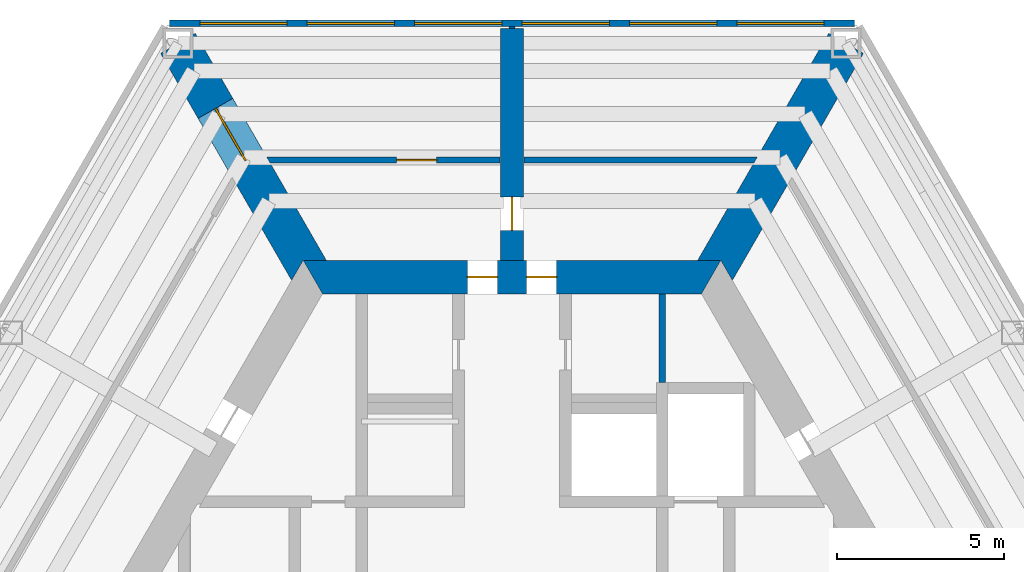
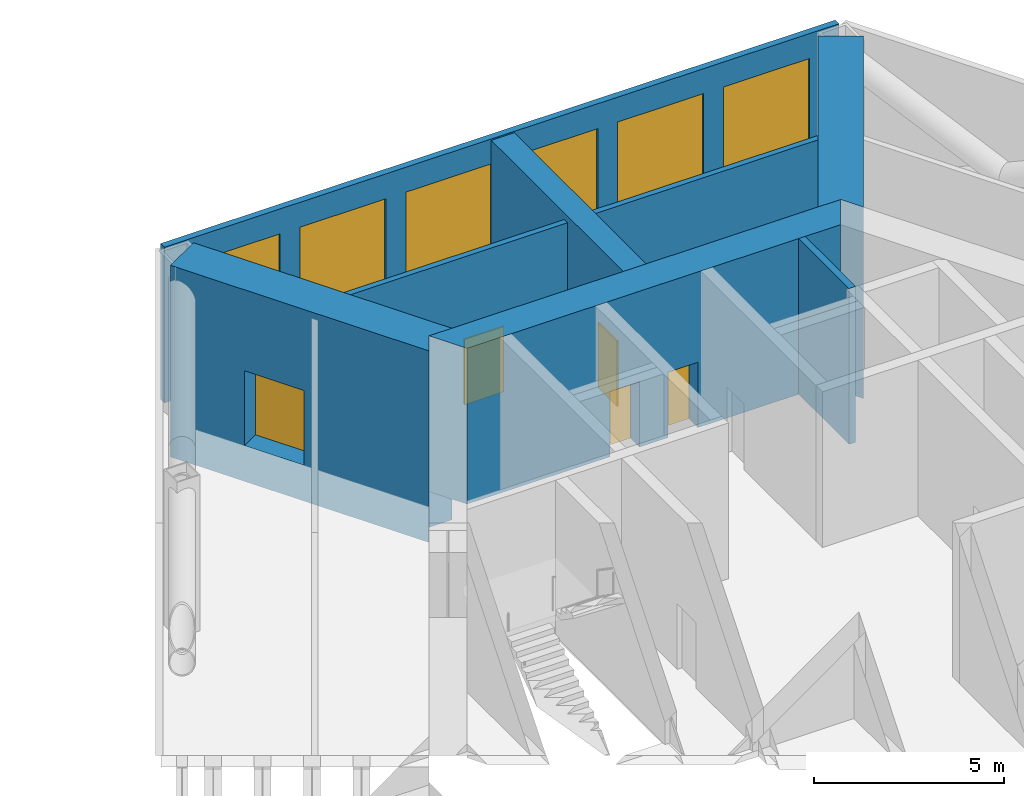
# One storey, part 6 of 8: 9 walls, 6 windows, 5 doors, 11 openings.
"""IFC4 building model written with IfcOpenShell, lengths in metres."""

from ifc_helpers import new_model, si_unit, direction, frame, frame_2d, origin, place, context, subcontext, project, spatial, polyline, rectangle, outline, extrude, material, layer, layer_set, type_object, element, fill, save


model = new_model("IFC4")

# Units and contexts
model_context = context("Model", 3, precision=1e-05, world=origin(), true_north=direction((0.0, 1.0)))
body_context = subcontext(model_context, "Body", "Model", "MODEL_VIEW")
ifc_project = project(units=[si_unit("LENGTHUNIT", "METRE"), si_unit("AREAUNIT", "SQUARE_METRE"), si_unit("VOLUMEUNIT", "CUBIC_METRE"), si_unit("PLANEANGLEUNIT", "RADIAN"), si_unit("MASSUNIT", "GRAM", prefix="KILO")], contexts=[model_context])

# Site, building, storey
site_placement = place(None, origin())
site = spatial("IfcSite", under=ifc_project, at=site_placement, CompositionType="ELEMENT")
building_placement = place(site_placement, origin())
building = spatial("IfcBuilding", under=site, at=building_placement, Name="Kasaneha Research Tower", CompositionType="ELEMENT")
storey_placement = place(building_placement, frame((0.0, 0.0, 203.300048828125)))
storey = spatial("IfcBuildingStorey", under=building, at=storey_placement, Name="L51", CompositionType="ELEMENT", Elevation=203.300048828125)

# Wall, openings, doors
ifc_material_1 = material(Name="Concrete Fc70", Category="concrete")
ifc_layer_1 = layer(ifc_material_1, 1.0)
ifc_layer_set_1 = layer_set([ifc_layer_1], Name="Core wall 1000 Fc70")
wall_type_1 = type_object("IfcWallType", Name="Core wall 1000 Fc70", PredefinedType="SHEAR", material=ifc_layer_set_1)
wall_1_placement = place(storey_placement, frame((5.961181640625, 10.324951171875, 0.0), z_axis=(0.0, 0.0, 1.0), x_axis=(-1.0, 0.0, 0.0)))
wall_1 = element("IfcWall", 1, at=wall_1_placement, inside=storey, type_object=wall_type_1, Name="Core wall 090 L51", PredefinedType="SHEAR", context=body_context, shape_type="SweptSolid", body=[
    extrude(outline(polyline([(-0.28857421875, -0.5), (4.62353515625, -0.5), (5.5234375, -0.5), (6.398681640625, -0.5), (7.298583984375, -0.5), (12.2109375, -0.5), (11.6337890625, 0.5), (7.298583984375, 0.5), (6.398681640625, 0.5), (5.5234375, 0.5), (4.62353515625, 0.5), (0.28857421875, 0.5), (-0.28857421875, -0.5)])), origin(), (0.0, 0.0, 1.0), 5.0),
])
opening_1_placement = place(wall_1_placement, frame((6.398681640625, 0.0, 0.0)))
opening_1 = element("IfcOpeningElement", 2, at=opening_1_placement, cuts=wall_1, Name="Opening L51-D01", PredefinedType="OPENING", context=body_context, shape_type="SweptSolid", body=[
    extrude(rectangle(XDim=0.89990234375, YDim=2.10009765625, at=frame_2d((0.449951171875, 1.050048828125))), frame((0.0, 0.510009765625, 0.0), z_axis=(0.0, -1.0, 0.0), x_axis=(1.0, 0.0, 0.0)), (0.0, 0.0, 1.0), 1.02001953125),
])
opening_2_placement = place(wall_1_placement, frame((4.62353515625, 0.0, 0.0)))
opening_2 = element("IfcOpeningElement", 3, at=opening_2_placement, cuts=wall_1, Name="Opening L51-D02", PredefinedType="OPENING", context=body_context, shape_type="SweptSolid", body=[
    extrude(rectangle(XDim=0.89990234375, YDim=2.10009765625, at=frame_2d((0.449951171875, 1.050048828125))), frame((0.0, 0.510009765625, 0.0), z_axis=(0.0, -1.0, 0.0), x_axis=(1.0, 0.0, 0.0)), (0.0, 0.0, 1.0), 1.02001953125),
])
ifc_material_2 = material(Name="Steel", Category="steel")
door_type_1 = type_object("IfcDoorType", Name="Toilet door FD20 900x2100", OperationType="NOTDEFINED", PredefinedType="DOOR", material=ifc_material_2)
door_1_placement = place(opening_1_placement, origin())
door_1 = element("IfcDoor", 4, at=door_1_placement, inside=storey, type_object=door_type_1, Name="Core door north 1 L51-D01", OperationType="SINGLE_SWING_RIGHT", OverallHeight=2.10009765625, OverallWidth=0.89990234375, PredefinedType="DOOR", context=body_context, shape_type="SweptSolid", body=[
    extrude(rectangle(XDim=0.89990234375, YDim=2.10009765625, at=frame_2d((0.449951171875, 1.050048828125))), frame((0.0, 0.02490234375, 0.0), z_axis=(0.0, -1.0, 0.0), x_axis=(1.0, 0.0, 0.0)), (0.0, 0.0, 1.0), 0.050048828125),
])
fill(opening_1, door_1)
door_2_placement = place(opening_2_placement, origin())
door_2 = element("IfcDoor", 5, at=door_2_placement, inside=storey, type_object=door_type_1, Name="Core door north 2 L51-D02", OperationType="SINGLE_SWING_LEFT", OverallHeight=2.10009765625, OverallWidth=0.89990234375, PredefinedType="DOOR", context=body_context, shape_type="SweptSolid", body=[
    extrude(rectangle(XDim=0.89990234375, YDim=2.10009765625, at=frame_2d((0.449951171875, 1.050048828125))), frame((0.0, 0.02490234375, 0.0), z_axis=(0.0, -1.0, 0.0), x_axis=(1.0, 0.0, 0.0)), (0.0, 0.0, 1.0), 0.050048828125),
])
fill(opening_2, door_2)

# Wall, openings, windows
ifc_material_3 = material(Name="Terracotta cladding on steel frame", Category="masonry")
ifc_layer_2 = layer(ifc_material_3, 0.199951171875)
ifc_layer_set_2 = layer_set([ifc_layer_2], Name="Louvred plant wall 200")
wall_type_2 = type_object("IfcWallType", Name="Louvred plant wall 200", PredefinedType="ELEMENTEDWALL", material=ifc_layer_set_2)
wall_2_placement = place(storey_placement, frame((10.246337890625, 17.92041015625, 0.0), z_axis=(0.0, 0.0, 1.0), x_axis=(-1.0, 0.0, 0.0)))
wall_2 = element("IfcWall", 6, at=wall_2_placement, inside=storey, type_object=wall_type_2, Name="Louvred plant wall L51", PredefinedType="ELEMENTEDWALL", context=body_context, shape_type="SweptSolid", body=[
    extrude(rectangle(XDim=20.49267578125, YDim=0.199951171875, at=frame_2d((10.246337890625, 0.0))), origin(), (0.0, 0.0, 1.0), 5.0),
])
opening_3_placement = place(wall_2_placement, frame((0.89990234375, 0.0, 0.60009765625)))
opening_3 = element("IfcOpeningElement", 7, at=opening_3_placement, cuts=wall_2, Name="Opening LV5", PredefinedType="OPENING", context=body_context, shape_type="SweptSolid", body=[
    extrude(rectangle(XDim=2.615478515625, YDim=3.60009765625, at=frame_2d((1.3076171875, 1.800048828125))), frame((0.0, 0.10986328125, 0.0), z_axis=(0.0, -1.0, 0.0), x_axis=(1.0, 0.0, 0.0)), (0.0, 0.0, 1.0), 0.219970703125),
])
opening_4_placement = place(wall_2_placement, frame((4.115478515625, 0.0, 0.60009765625)))
opening_4 = element("IfcOpeningElement", 8, at=opening_4_placement, cuts=wall_2, Name="Opening LV5", PredefinedType="OPENING", context=body_context, shape_type="SweptSolid", body=[
    extrude(rectangle(XDim=2.615478515625, YDim=3.60009765625, at=frame_2d((1.3076171875, 1.800048828125))), frame((0.0, 0.10986328125, 0.0), z_axis=(0.0, -1.0, 0.0), x_axis=(1.0, 0.0, 0.0)), (0.0, 0.0, 1.0), 0.219970703125),
])
opening_5_placement = place(wall_2_placement, frame((7.3310546875, 0.0, 0.60009765625)))
opening_5 = element("IfcOpeningElement", 9, at=opening_5_placement, cuts=wall_2, Name="Opening LV5", PredefinedType="OPENING", context=body_context, shape_type="SweptSolid", body=[
    extrude(rectangle(XDim=2.615478515625, YDim=3.60009765625, at=frame_2d((1.3076171875, 1.800048828125))), frame((0.0, 0.10986328125, 0.0), z_axis=(0.0, -1.0, 0.0), x_axis=(1.0, 0.0, 0.0)), (0.0, 0.0, 1.0), 0.219970703125),
])
opening_6_placement = place(wall_2_placement, frame((10.54638671875, 0.0, 0.60009765625)))
opening_6 = element("IfcOpeningElement", 10, at=opening_6_placement, cuts=wall_2, Name="Opening LV5", PredefinedType="OPENING", context=body_context, shape_type="SweptSolid", body=[
    extrude(rectangle(XDim=2.615478515625, YDim=3.60009765625, at=frame_2d((1.3076171875, 1.800048828125))), frame((0.0, 0.10986328125, 0.0), z_axis=(0.0, -1.0, 0.0), x_axis=(1.0, 0.0, 0.0)), (0.0, 0.0, 1.0), 0.219970703125),
])
opening_7_placement = place(wall_2_placement, frame((13.761962890625, 0.0, 0.60009765625)))
opening_7 = element("IfcOpeningElement", 11, at=opening_7_placement, cuts=wall_2, Name="Opening LV5", PredefinedType="OPENING", context=body_context, shape_type="SweptSolid", body=[
    extrude(rectangle(XDim=2.615478515625, YDim=3.60009765625, at=frame_2d((1.3076171875, 1.800048828125))), frame((0.0, 0.10986328125, 0.0), z_axis=(0.0, -1.0, 0.0), x_axis=(1.0, 0.0, 0.0)), (0.0, 0.0, 1.0), 0.219970703125),
])
opening_8_placement = place(wall_2_placement, frame((16.977294921875, 0.0, 0.60009765625)))
opening_8 = element("IfcOpeningElement", 12, at=opening_8_placement, cuts=wall_2, Name="Opening LV5", PredefinedType="OPENING", context=body_context, shape_type="SweptSolid", body=[
    extrude(rectangle(XDim=2.615478515625, YDim=3.60009765625, at=frame_2d((1.3076171875, 1.800048828125))), frame((0.0, 0.10986328125, 0.0), z_axis=(0.0, -1.0, 0.0), x_axis=(1.0, 0.0, 0.0)), (0.0, 0.0, 1.0), 0.219970703125),
])
ifc_material_4 = material(Name="Aluminium 6063-T6", Category="aluminium")
window_type = type_object("IfcWindowType", Name="Louvre 2615x3600", PartitioningType="SINGLE_PANEL", PredefinedType="USERDEFINED", material=ifc_material_4)
window_1_placement = place(opening_3_placement, origin())
window_1 = element("IfcWindow", 13, at=window_1_placement, inside=storey, type_object=window_type, Name="Plant louvre L51 1", ObjectType="LOUVRE", OverallHeight=3.60009765625, OverallWidth=2.615478515625, PartitioningType="SINGLE_PANEL", PredefinedType="USERDEFINED", context=body_context, shape_type="SweptSolid", body=[
    extrude(rectangle(XDim=2.615478515625, YDim=3.60009765625, at=frame_2d((1.3076171875, 1.800048828125))), frame((0.0, 0.030029296875, 0.0), z_axis=(0.0, -1.0, 0.0), x_axis=(1.0, 0.0, 0.0)), (0.0, 0.0, 1.0), 0.06005859375),
])
fill(opening_3, window_1)
window_2_placement = place(opening_4_placement, origin())
window_2 = element("IfcWindow", 14, at=window_2_placement, inside=storey, type_object=window_type, Name="Plant louvre L51 2", ObjectType="LOUVRE", OverallHeight=3.60009765625, OverallWidth=2.615478515625, PartitioningType="SINGLE_PANEL", PredefinedType="USERDEFINED", context=body_context, shape_type="SweptSolid", body=[
    extrude(rectangle(XDim=2.615478515625, YDim=3.60009765625, at=frame_2d((1.3076171875, 1.800048828125))), frame((0.0, 0.030029296875, 0.0), z_axis=(0.0, -1.0, 0.0), x_axis=(1.0, 0.0, 0.0)), (0.0, 0.0, 1.0), 0.06005859375),
])
fill(opening_4, window_2)
window_3_placement = place(opening_5_placement, origin())
window_3 = element("IfcWindow", 15, at=window_3_placement, inside=storey, type_object=window_type, Name="Plant louvre L51 3", ObjectType="LOUVRE", OverallHeight=3.60009765625, OverallWidth=2.615478515625, PartitioningType="SINGLE_PANEL", PredefinedType="USERDEFINED", context=body_context, shape_type="SweptSolid", body=[
    extrude(rectangle(XDim=2.615478515625, YDim=3.60009765625, at=frame_2d((1.3076171875, 1.800048828125))), frame((0.0, 0.030029296875, 0.0), z_axis=(0.0, -1.0, 0.0), x_axis=(1.0, 0.0, 0.0)), (0.0, 0.0, 1.0), 0.06005859375),
])
fill(opening_5, window_3)
window_4_placement = place(opening_6_placement, origin())
window_4 = element("IfcWindow", 16, at=window_4_placement, inside=storey, type_object=window_type, Name="Plant louvre L51 4", ObjectType="LOUVRE", OverallHeight=3.60009765625, OverallWidth=2.615478515625, PartitioningType="SINGLE_PANEL", PredefinedType="USERDEFINED", context=body_context, shape_type="SweptSolid", body=[
    extrude(rectangle(XDim=2.615478515625, YDim=3.60009765625, at=frame_2d((1.3076171875, 1.800048828125))), frame((0.0, 0.030029296875, 0.0), z_axis=(0.0, -1.0, 0.0), x_axis=(1.0, 0.0, 0.0)), (0.0, 0.0, 1.0), 0.06005859375),
])
fill(opening_6, window_4)
window_5_placement = place(opening_7_placement, origin())
window_5 = element("IfcWindow", 17, at=window_5_placement, inside=storey, type_object=window_type, Name="Plant louvre L51 5", ObjectType="LOUVRE", OverallHeight=3.60009765625, OverallWidth=2.615478515625, PartitioningType="SINGLE_PANEL", PredefinedType="USERDEFINED", context=body_context, shape_type="SweptSolid", body=[
    extrude(rectangle(XDim=2.615478515625, YDim=3.60009765625, at=frame_2d((1.3076171875, 1.800048828125))), frame((0.0, 0.030029296875, 0.0), z_axis=(0.0, -1.0, 0.0), x_axis=(1.0, 0.0, 0.0)), (0.0, 0.0, 1.0), 0.06005859375),
])
fill(opening_7, window_5)
window_6_placement = place(opening_8_placement, origin())
window_6 = element("IfcWindow", 18, at=window_6_placement, inside=storey, type_object=window_type, Name="Plant louvre L51 6", ObjectType="LOUVRE", OverallHeight=3.60009765625, OverallWidth=2.615478515625, PartitioningType="SINGLE_PANEL", PredefinedType="USERDEFINED", context=body_context, shape_type="SweptSolid", body=[
    extrude(rectangle(XDim=2.615478515625, YDim=3.60009765625, at=frame_2d((1.3076171875, 1.800048828125))), frame((0.0, 0.030029296875, 0.0), z_axis=(0.0, -1.0, 0.0), x_axis=(1.0, 0.0, 0.0)), (0.0, 0.0, 1.0), 0.06005859375),
])
fill(opening_8, window_6)

# Wall
ifc_material_5 = material(Name="Concrete Fc70", Category="concrete")
ifc_layer_3 = layer(ifc_material_5, 1.199951171875)
ifc_layer_set_3 = layer_set([ifc_layer_3], Name="Outrigger wall 1200 Fc70")
wall_type_3 = type_object("IfcWallType", Name="Outrigger wall 1200 Fc70", PredefinedType="SHEAR", material=ifc_layer_set_3)
wall_3_placement = place(storey_placement, frame((6.249755859375, 10.824951171875, -1.150146484375), z_axis=(0.0, 0.0, 1.0), x_axis=(0.50000045744, 0.866025139681, 0.0)))
element("IfcWall", 19, at=wall_3_placement, inside=storey, type_object=wall_type_3, Name="Outrigger wall 060 L51", PredefinedType="SHEAR", context=body_context, shape_type="SweptSolid", body=[
    extrude(outline(polyline([(-0.346435546875, -0.60009765625), (7.50048828125, -0.60009765625), (7.50048828125, 0.60009765625), (-0.346435546875, 0.60009765625), (0.0, 0.0), (-0.346435546875, -0.60009765625)])), origin(), (0.0, 0.0, 1.0), 6.150146484375),
])

# Wall, opening, door
wall_4_placement = place(storey_placement, frame((-6.249755859375, 10.824951171875, -1.150146484375), z_axis=(0.0, 0.0, 1.0), x_axis=(-0.50000045744, 0.866025139681, 0.0)))
wall_4 = element("IfcWall", 20, at=wall_4_placement, inside=storey, type_object=wall_type_3, Name="Outrigger wall 120 L51", PredefinedType="SHEAR", context=body_context, shape_type="SweptSolid", body=[
    extrude(outline(polyline([(-0.346435546875, -0.60009765625), (3.453125, -0.60009765625), (5.253173828125, -0.60009765625), (7.50048828125, -0.60009765625), (7.50048828125, 0.60009765625), (5.253173828125, 0.60009765625), (3.453125, 0.60009765625), (-0.346435546875, 0.60009765625), (0.0, 0.0), (-0.346435546875, -0.60009765625)])), origin(), (0.0, 0.0, 1.0), 6.150146484375),
])
opening_9_placement = place(wall_4_placement, frame((3.453125, 0.0, 1.14990234375)))
opening_9 = element("IfcOpeningElement", 21, at=opening_9_placement, cuts=wall_4, Name="Opening L51-D21", PredefinedType="OPENING", context=body_context, shape_type="SweptSolid", body=[
    extrude(rectangle(XDim=1.800048828125, YDim=2.39990234375, at=frame_2d((0.89990234375, 1.199951171875))), frame((0.0, 0.60986328125, 0.0), z_axis=(0.0, -1.0, 0.0), x_axis=(1.0, 0.0, 0.0)), (0.0, 0.0, 1.0), 1.219970703125),
])
ifc_material_6 = material(Name="Steel", Category="steel")
door_type_2 = type_object("IfcDoorType", Name="Plant room double door FD60 1800x2400", OperationType="DOUBLE_DOOR_SINGLE_SWING", PredefinedType="DOOR", material=ifc_material_6)
door_3_placement = place(opening_9_placement, origin())
door_3 = element("IfcDoor", 22, at=door_3_placement, inside=storey, type_object=door_type_2, Name="Plant room door L51-D21", OperationType="DOUBLE_DOOR_SINGLE_SWING", OverallHeight=2.39990234375, OverallWidth=1.800048828125, PredefinedType="DOOR", context=body_context, shape_type="SweptSolid", body=[
    extrude(rectangle(XDim=1.800048828125, YDim=2.39990234375, at=frame_2d((0.89990234375, 1.199951171875))), frame((0.0, 0.02490234375, 0.0), z_axis=(0.0, -1.0, 0.0), x_axis=(1.0, 0.0, 0.0)), (0.0, 0.0, 1.0), 0.050048828125),
])
fill(opening_9, door_3)

# Wall
ifc_material_7 = material(Name="Gypsum board on steel studs, two layers each side", Category="steel")
ifc_layer_4 = layer(ifc_material_7, 0.175048828125)
ifc_layer_set_4 = layer_set([ifc_layer_4], Name="Refuge fire partition 175")
wall_type_4 = type_object("IfcWallType", Name="Refuge fire partition 175", PredefinedType="PARTITIONING", material=ifc_layer_set_4)
wall_5_placement = place(storey_placement, frame((7.2890625, 13.824951171875, 0.0), z_axis=(0.0, 0.0, 1.0), x_axis=(-1.0, 0.0, 0.0)))
element("IfcWall", 23, at=wall_5_placement, inside=storey, type_object=wall_type_4, Name="Refuge fire partition RFAE02 L51", PredefinedType="PARTITIONING", context=body_context, shape_type="SweptSolid", body=[
    extrude(outline(polyline([(-0.050537109375, -0.08740234375), (6.93408203125, -0.08740234375), (6.93408203125, 0.08740234375), (0.050537109375, 0.08740234375), (-0.050537109375, -0.08740234375)])), origin(), (0.0, 0.0, 1.0), 4.800048828125),
])

# Wall, opening, door
wall_6_placement = place(storey_placement, frame((-0.35498046875, 13.824951171875, 0.0), z_axis=(0.0, 0.0, 1.0), x_axis=(-1.0, 0.0, 0.0)))
wall_6 = element("IfcWall", 24, at=wall_6_placement, inside=storey, type_object=wall_type_4, Name="Refuge fire partition RFAW01 L51", PredefinedType="PARTITIONING", context=body_context, shape_type="SweptSolid", body=[
    extrude(outline(polyline([(0.0, -0.08740234375), (1.89990234375, -0.08740234375), (3.099853515625, -0.08740234375), (6.984619140625, -0.08740234375), (6.883544921875, 0.08740234375), (3.099853515625, 0.08740234375), (1.89990234375, 0.08740234375), (0.0, 0.08740234375), (0.0, -0.08740234375)])), origin(), (0.0, 0.0, 1.0), 4.800048828125),
])
opening_10_placement = place(wall_6_placement, frame((1.89990234375, 0.0, 0.0)))
opening_10 = element("IfcOpeningElement", 25, at=opening_10_placement, cuts=wall_6, Name="Opening L51-D24", PredefinedType="OPENING", context=body_context, shape_type="SweptSolid", body=[
    extrude(rectangle(XDim=1.199951171875, YDim=2.10009765625, at=frame_2d((0.60009765625, 1.050048828125))), frame((0.0, 0.09765625, 0.0), z_axis=(0.0, -1.0, 0.0), x_axis=(1.0, 0.0, 0.0)), (0.0, 0.0, 1.0), 0.195068359375),
])
ifc_material_8 = material(Name="Steel", Category="steel")
door_type_3 = type_object("IfcDoorType", Name="Laboratory door FD60 1200x2100", OperationType="DOUBLE_DOOR_SINGLE_SWING", PredefinedType="DOOR", material=ifc_material_8)
door_4_placement = place(opening_10_placement, origin())
door_4 = element("IfcDoor", 26, at=door_4_placement, inside=storey, type_object=door_type_3, Name="Plant room door L51-D24", OperationType="DOUBLE_DOOR_SINGLE_SWING", OverallHeight=2.10009765625, OverallWidth=1.199951171875, PredefinedType="DOOR", context=body_context, shape_type="SweptSolid", body=[
    extrude(rectangle(XDim=1.199951171875, YDim=2.10009765625, at=frame_2d((0.60009765625, 1.050048828125))), frame((0.0, 0.02490234375, 0.0), z_axis=(0.0, -1.0, 0.0), x_axis=(1.0, 0.0, 0.0)), (0.0, 0.0, 1.0), 0.050048828125),
])
fill(opening_10, door_4)

# Wall
ifc_material_9 = material(Name="Concrete block", Category="concrete")
ifc_layer_5 = layer(ifc_material_9, 0.199951171875)
ifc_layer_set_5 = layer_set([ifc_layer_5], Name="Riser enclosure wall 200")
wall_type_5 = type_object("IfcWallType", Name="Riser enclosure wall 200", PredefinedType="STANDARD", material=ifc_layer_set_5)
wall_7_placement = place(storey_placement, frame((4.5, 7.175048828125, 0.0), z_axis=(0.0, 0.0, 1.0), x_axis=(0.0, 1.0, 0.0)))
element("IfcWall", 27, at=wall_7_placement, inside=storey, type_object=wall_type_5, Name="Riser enclosure wall L51", PredefinedType="STANDARD", context=body_context, shape_type="SweptSolid", body=[
    extrude(rectangle(XDim=2.64990234375, YDim=0.199951171875, at=frame_2d((1.324951171875, 0.0))), origin(), (0.0, 0.0, 1.0), 5.0),
])

# Wall, opening, door
ifc_material_10 = material(Name="Concrete Fc70", Category="concrete")
ifc_layer_6 = layer(ifc_material_10, 0.699951171875)
ifc_layer_set_6 = layer_set([ifc_layer_6], Name="Spine wall 700 Fc70")
wall_type_6 = type_object("IfcWallType", Name="Spine wall 700 Fc70", PredefinedType="SHEAR", material=ifc_layer_set_6)
wall_8_placement = place(storey_placement, frame((0.0, 10.824951171875, 0.0), z_axis=(0.0, 0.0, 1.0), x_axis=(0.0, 1.0, 0.0)))
wall_8 = element("IfcWall", 28, at=wall_8_placement, inside=storey, type_object=wall_type_6, Name="Spine wall A L51", PredefinedType="SHEAR", context=body_context, shape_type="SweptSolid", body=[
    extrude(rectangle(XDim=6.945556640625, YDim=0.699951171875, at=frame_2d((3.47265625, 0.0))), origin(), (0.0, 0.0, 1.0), 5.0),
])
opening_11_placement = place(wall_8_placement, frame((0.89990234375, 0.0, 0.0)))
opening_11 = element("IfcOpeningElement", 29, at=opening_11_placement, cuts=wall_8, Name="Opening L51-D17", PredefinedType="OPENING", context=body_context, shape_type="SweptSolid", body=[
    extrude(rectangle(XDim=1.0, YDim=2.10009765625, at=frame_2d((0.5, 1.050048828125))), frame((0.0, 0.35986328125, 0.0), z_axis=(0.0, -1.0, 0.0), x_axis=(1.0, 0.0, 0.0)), (0.0, 0.0, 1.0), 0.719970703125),
])
ifc_material_11 = material(Name="Steel", Category="steel")
door_type_4 = type_object("IfcDoorType", Name="Specified fire door FD60 1000x2100", OperationType="NOTDEFINED", PredefinedType="DOOR", material=ifc_material_11)
door_5_placement = place(opening_11_placement, origin())
door_5 = element("IfcDoor", 30, at=door_5_placement, inside=storey, type_object=door_type_4, Name="Spine doorway A L51-D17", OperationType="SINGLE_SWING_LEFT", OverallHeight=2.10009765625, OverallWidth=1.0, PredefinedType="DOOR", context=body_context, shape_type="SweptSolid", body=[
    extrude(rectangle(XDim=1.0, YDim=2.10009765625, at=frame_2d((0.5, 1.050048828125))), frame((0.0, 0.02490234375, 0.0), z_axis=(0.0, -1.0, 0.0), x_axis=(1.0, 0.0, 0.0)), (0.0, 0.0, 1.0), 0.050048828125),
])
fill(opening_11, door_5)

# Wall
ifc_material_12 = material(Name="Gypsum board on steel studs, two layers each side", Category="steel")
ifc_layer_7 = layer(ifc_material_12, 0.175048828125)
ifc_layer_set_7 = layer_set([ifc_layer_7], Name="Tenancy fire partition 175")
wall_type_7 = type_object("IfcWallType", Name="Tenancy fire partition 175", PredefinedType="PARTITIONING", material=ifc_layer_set_7)
wall_9_placement = place(storey_placement, frame((0.0, 17.7705078125, 0.0), z_axis=(0.0, 0.0, 1.0), x_axis=(0.0, 1.0, 0.0)))
element("IfcWall", 31, at=wall_9_placement, inside=storey, type_object=wall_type_7, Name="Spine wall closer SW3-700 L51", PredefinedType="PARTITIONING", context=body_context, shape_type="SweptSolid", body=[
    extrude(rectangle(XDim=0.050048828125, YDim=0.175048828125, at=frame_2d((0.02490234375, 0.0))), origin(), (0.0, 0.0, 1.0), 5.0),
])

save(model, "model.ifc")
